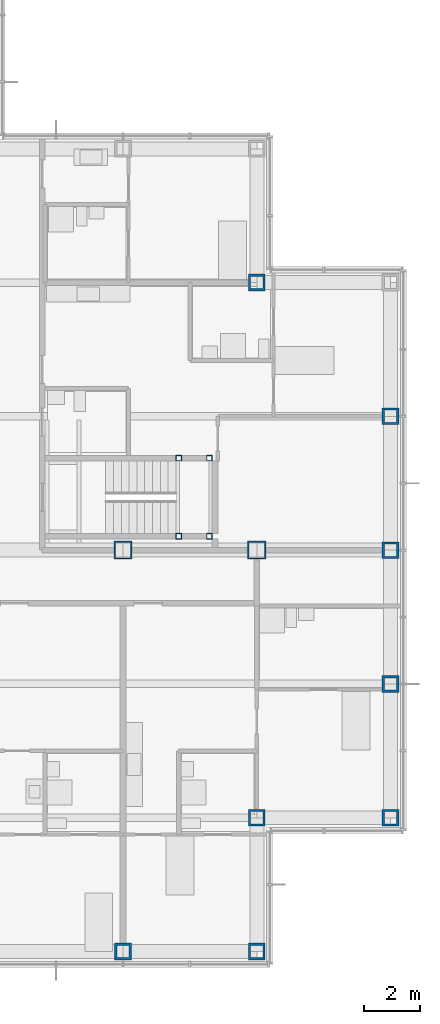
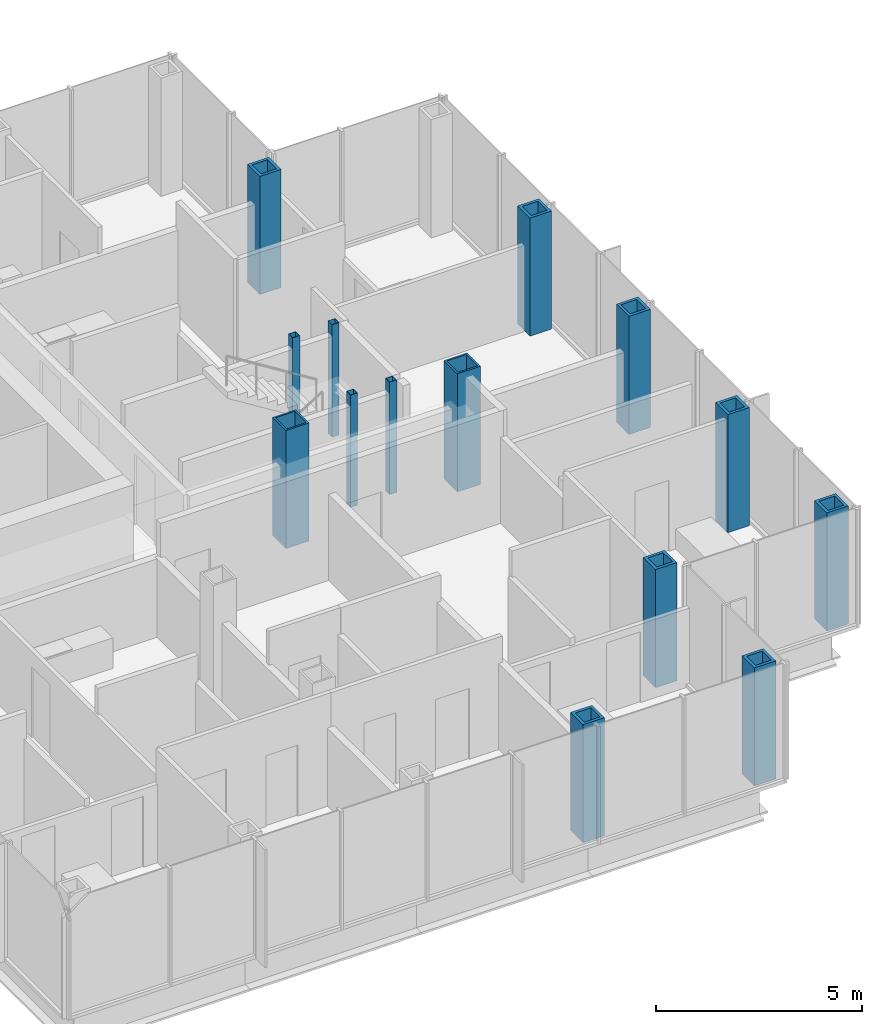
# One storey, part 4 of 20: 14 columns.
"""IFC4 building model written with IfcOpenShell, lengths in metres."""

from ifc_helpers import new_model, si_unit, direction, frame, origin, origin_2d, place, context, subcontext, project, spatial, hollow_rectangle, extrude, material, material_profile, profile_set, type_object, element, save


model = new_model("IFC4")

# Units and contexts
model_context = context("Model", 3, precision=1e-05, world=origin(), true_north=direction((0.0, 1.0)))
body_context = subcontext(model_context, "Body", "Model", "MODEL_VIEW")
ifc_project = project(units=[si_unit("LENGTHUNIT", "METRE"), si_unit("AREAUNIT", "SQUARE_METRE"), si_unit("VOLUMEUNIT", "CUBIC_METRE"), si_unit("PLANEANGLEUNIT", "RADIAN"), si_unit("MASSUNIT", "GRAM", prefix="KILO")], contexts=[model_context])

# Site, building, storey
site_placement = place(None, origin())
site = spatial("IfcSite", under=ifc_project, at=site_placement, CompositionType="ELEMENT")
building_placement = place(site_placement, origin())
building = spatial("IfcBuilding", under=site, at=building_placement, Name="Kvirike Care Tower", CompositionType="ELEMENT")
storey_placement = place(building_placement, frame((0.0, 0.0, 119.0)))
storey = spatial("IfcBuildingStorey", under=building, at=storey_placement, Name="L32", CompositionType="ELEMENT", Elevation=119.0)

# Columns
ifc_material_1 = material(Name="Steel S460", Category="steel")
ifc_material_profile_1 = material_profile(ifc_material_1, hollow_rectangle(XDim=0.60009765625, YDim=0.60009765625, WallThickness=0.080078125, at=origin_2d()), Name="BX 600x600x80")
ifc_profile_set_1 = profile_set([ifc_material_profile_1], Name="Steel S460")
column_type_1 = type_object("IfcColumnType", Name="COLUMN BX 600x600x80", PredefinedType="COLUMN", material=ifc_profile_set_1)
for number, where, z_axis, x_axis, name in (
    (1, (33.60009765625, 14.39990234375, 0.0), (0.0, 0.0, 1.0), (0.0, 1.0, 0.0), "Column D10 L32"),
    (2, (38.39990234375, 14.39990234375, 0.0), (0.0, 0.0, 1.0), (0.0, 1.0, 0.0), "Column D11 L32"),
    (3, (38.39990234375, 19.199951171875, 0.0), (0.0, 0.0, 1.0), (0.0, 1.0, 0.0), "Column E11 L32"),
    (4, (38.39990234375, 38.39990234375, 0.0), (0.0, 0.0, 1.0), (0.0, 1.0, 0.0), "Column J11 L32"),
    (5, (43.199951171875, 19.199951171875, 0.0), (0.0, 0.0, 1.0), (0.0, 1.0, 0.0), "Column E12 L32"),
    (6, (43.199951171875, 24.0, 0.0), (0.0, 0.0, 1.0), (1.0, 0.0, 0.0), "Column F12 L32"),
    (7, (43.199951171875, 28.800048828125, 0.0), (0.0, 0.0, 1.0), (0.0, 1.0, 0.0), "Column G12 L32"),
    (8, (43.199951171875, 33.60009765625, 0.0), (0.0, 0.0, 1.0), (1.0, 0.0, 0.0), "Column H12 L32"),
):
    element("IfcColumn", number, at=place(storey_placement, frame(where, z_axis=z_axis, x_axis=x_axis)), inside=storey, type_object=column_type_1, Name=name, PredefinedType="COLUMN", context=body_context, shape_type="SweptSolid", body=[
        extrude(hollow_rectangle(XDim=0.60009765625, YDim=0.60009765625, WallThickness=0.080078125, at=origin_2d()), origin(), (0.0, 0.0, 1.0), 3.5),
    ])
ifc_material_2 = material(Name="Steel S460", Category="steel")
ifc_material_profile_2 = material_profile(ifc_material_2, hollow_rectangle(XDim=0.64990234375, YDim=0.64990234375, WallThickness=0.050048828125, at=origin_2d()), Name="BX 650x650x50")
ifc_profile_set_2 = profile_set([ifc_material_profile_2], Name="Steel S460")
column_type_2 = type_object("IfcColumnType", Name="COLUMN BX 650x650x50", PredefinedType="COLUMN", material=ifc_profile_set_2)
for number, where, z_axis, x_axis, name in (
    (9, (33.60009765625, 28.800048828125, 0.0), (0.0, 0.0, 1.0), (0.0, 1.0, 0.0), "Column G10 L32"),
    (10, (38.39990234375, 28.800048828125, 0.0), (0.0, 0.0, 1.0), (0.0, 1.0, 0.0), "Column G11 L32"),
):
    element("IfcColumn", number, at=place(storey_placement, frame(where, z_axis=z_axis, x_axis=x_axis)), inside=storey, type_object=column_type_2, Name=name, PredefinedType="COLUMN", context=body_context, shape_type="SweptSolid", body=[
        extrude(hollow_rectangle(XDim=0.64990234375, YDim=0.64990234375, WallThickness=0.050048828125, at=origin_2d()), origin(), (0.0, 0.0, 1.0), 3.5),
    ])
ifc_material_3 = material(Name="Steel S460", Category="steel")
ifc_material_profile_3 = material_profile(ifc_material_3, hollow_rectangle(XDim=0.199951171875, YDim=0.199951171875, WallThickness=0.008056640625, at=origin_2d()), Name="SHS 200x200x8")
ifc_profile_set_3 = profile_set([ifc_material_profile_3], Name="Steel S460")
column_type_3 = type_object("IfcColumnType", Name="STAIR POST SHS 200x200x8", PredefinedType="COLUMN", material=ifc_profile_set_3)
for number, where, z_axis, x_axis, name in (
    (11, (36.699951171875, 29.300048828125, 0.0), (0.0, 0.0, 1.0), (1.0, 0.0, 0.0), "Stair 2 post 1 L32"),
    (12, (36.699951171875, 32.10009765625, 0.0), (0.0, 0.0, 1.0), (1.0, 0.0, 0.0), "Stair 2 post 2 L32"),
    (13, (35.60009765625, 29.300048828125, 0.0), (0.0, 0.0, 1.0), (1.0, 0.0, 0.0), "Stair 2 post 3 L32"),
    (14, (35.60009765625, 32.10009765625, 0.0), (0.0, 0.0, 1.0), (1.0, 0.0, 0.0), "Stair 2 post 4 L32"),
):
    element("IfcColumn", number, at=place(storey_placement, frame(where, z_axis=z_axis, x_axis=x_axis)), inside=storey, type_object=column_type_3, Name=name, PredefinedType="COLUMN", context=body_context, shape_type="SweptSolid", body=[
        extrude(hollow_rectangle(XDim=0.199951171875, YDim=0.199951171875, WallThickness=0.008056640625, at=origin_2d()), origin(), (0.0, 0.0, 1.0), 3.330078125),
    ])

save(model, "model.ifc")
